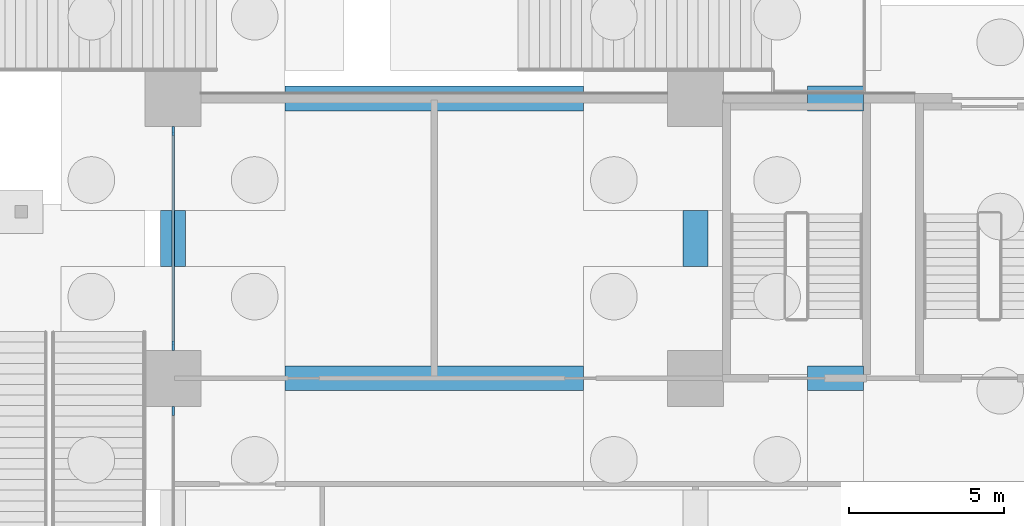
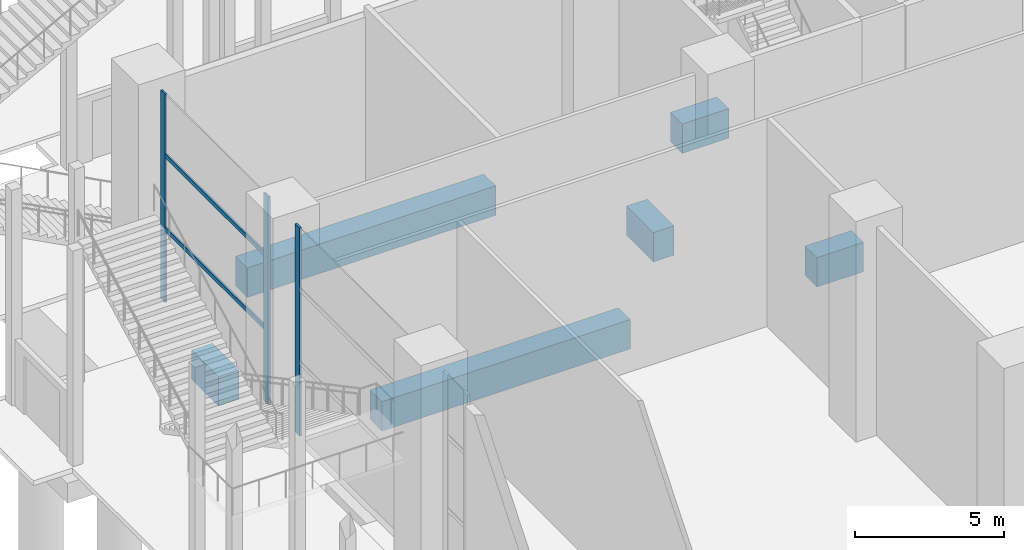
# One storey, part 26 of 72: 6 beams, 5 members, 2 elements without a shape of their own.
"""IFC4 building model written with IfcOpenShell, lengths in metres."""

from ifc_helpers import new_model, si_unit, direction, frame, origin, origin_2d, place, context, subcontext, project, spatial, rectangle, extrude, material, material_profile, profile_set, type_object, element, aggregate, save


model = new_model("IFC4")

# Units and contexts
model_context = context("Model", 3, precision=1e-05, world=origin(), true_north=direction((0.0, 1.0)))
body_context = subcontext(model_context, "Body", "Model", "MODEL_VIEW")
ifc_project = project(units=[si_unit("LENGTHUNIT", "METRE"), si_unit("AREAUNIT", "SQUARE_METRE"), si_unit("VOLUMEUNIT", "CUBIC_METRE"), si_unit("PLANEANGLEUNIT", "RADIAN"), si_unit("MASSUNIT", "GRAM", prefix="KILO")], contexts=[model_context])

# Site, building, storey
site_placement = place(None, origin())
site = spatial("IfcSite", under=ifc_project, at=site_placement, CompositionType="ELEMENT")
building_placement = place(site_placement, origin())
building = spatial("IfcBuilding", under=site, at=building_placement, Name="Candeia Pilgrim Tower and Theatre", CompositionType="ELEMENT")
storey_placement = place(building_placement, origin())
storey = spatial("IfcBuildingStorey", under=building, at=storey_placement, Name="L00", CompositionType="ELEMENT", Elevation=0.0)

# Curtain wall, member
ifc_material_1 = material(Name="Aluminium framed podium glazing", Category="aluminium")
curtain_wall_type = type_object("IfcCurtainWallType", Name="CW-P curtain wall", PredefinedType="NOTDEFINED", material=ifc_material_1)
curtain_wall_1_placement = place(storey_placement, origin())
curtain_wall_1 = element("IfcCurtainWall", 1, at=curtain_wall_1_placement, inside=storey, type_object=curtain_wall_type, Name="Curtain wall CW-P L00.050", PredefinedType="NOTDEFINED")
ifc_material_2 = material(Name="Anodised aluminium", Category="aluminium")
ifc_material_profile_1 = material_profile(ifc_material_2, rectangle(XDim=0.080078125, YDim=0.300048828125, at=origin_2d()))
ifc_profile_set_1 = profile_set([ifc_material_profile_1], Name="Anodised aluminium")
member_type_1 = type_object("IfcMemberType", Name="CW-P mullion 80x300", PredefinedType="MULLION", material=ifc_profile_set_1)
member_1_placement = place(storey_placement, frame((58.800048828125, 134.75, 0.0), z_axis=(0.0, 0.0, 1.0), x_axis=(-1.0, 0.0, 0.0)))
member_1 = element("IfcMember", 2, at=member_1_placement, type_object=member_type_1, Name="CW-P mullion 2", PredefinedType="MULLION", context=body_context, shape_type="SweptSolid", body=[
    extrude(rectangle(XDim=0.080078125, YDim=0.300048828125, at=origin_2d()), origin(), (0.0, 0.0, 1.0), 8.5),
])
aggregate(curtain_wall_1, [member_1])

# Curtain wall, members
curtain_wall_2_placement = place(storey_placement, origin())
curtain_wall_2 = element("IfcCurtainWall", 3, at=curtain_wall_2_placement, inside=storey, type_object=curtain_wall_type, Name="Curtain wall CW-P L00.060", PredefinedType="NOTDEFINED")
member_2_placement = place(storey_placement, frame((58.800048828125, 136.85009765625, 0.0), z_axis=(0.0, 0.0, 1.0), x_axis=(-1.0, 0.0, 0.0)))
member_2 = element("IfcMember", 4, at=member_2_placement, type_object=member_type_1, Name="CW-P mullion 1", PredefinedType="MULLION", context=body_context, shape_type="SweptSolid", body=[
    extrude(rectangle(XDim=0.080078125, YDim=0.300048828125, at=origin_2d()), origin(), (0.0, 0.0, 1.0), 8.5),
])
member_3_placement = place(storey_placement, frame((58.800048828125, 143.75, 0.0), z_axis=(0.0, 0.0, 1.0), x_axis=(-1.0, 0.0, 0.0)))
member_3 = element("IfcMember", 5, at=member_3_placement, type_object=member_type_1, Name="CW-P mullion 2", PredefinedType="MULLION", context=body_context, shape_type="SweptSolid", body=[
    extrude(rectangle(XDim=0.080078125, YDim=0.300048828125, at=origin_2d()), origin(), (0.0, 0.0, 1.0), 8.5),
])
ifc_material_profile_2 = material_profile(ifc_material_2, rectangle(XDim=0.080078125, YDim=0.179931640625, at=origin_2d()))
ifc_profile_set_2 = profile_set([ifc_material_profile_2], Name="Anodised aluminium")
member_type_2 = type_object("IfcMemberType", Name="CW-P transom 80x180", PredefinedType="USERDEFINED", material=ifc_profile_set_2)
member_4_placement = place(storey_placement, frame((58.800048828125, 136.889892578125, 3.0), z_axis=(0.0, 1.0, 0.0), x_axis=(-1.0, 0.0, 0.0)))
member_4 = element("IfcMember", 6, at=member_4_placement, type_object=member_type_2, Name="CW-P transom 1.1", ObjectType="TRANSOM", PredefinedType="USERDEFINED", context=body_context, shape_type="SweptSolid", body=[
    extrude(rectangle(XDim=0.080078125, YDim=0.179931640625, at=origin_2d()), origin(), (0.0, 0.0, 1.0), 6.820068359375),
])
member_5_placement = place(storey_placement, frame((58.800048828125, 136.889892578125, 6.0), z_axis=(0.0, 1.0, 0.0), x_axis=(-1.0, 0.0, 0.0)))
member_5 = element("IfcMember", 7, at=member_5_placement, type_object=member_type_2, Name="CW-P transom 1.2", ObjectType="TRANSOM", PredefinedType="USERDEFINED", context=body_context, shape_type="SweptSolid", body=[
    extrude(rectangle(XDim=0.080078125, YDim=0.179931640625, at=origin_2d()), origin(), (0.0, 0.0, 1.0), 6.820068359375),
])
aggregate(curtain_wall_2, [member_2, member_3, member_4, member_5])

# Beams
ifc_material_3 = material(Name="Concrete C40/50", Category="concrete")
ifc_material_profile_3 = material_profile(ifc_material_3, rectangle(XDim=0.800048828125, YDim=1.199951171875, at=origin_2d()))
ifc_profile_set_3 = profile_set([ifc_material_profile_3], Name="Concrete C40/50")
beam_type = type_object("IfcBeamType", Name="RC 800x1200 C40/50", PredefinedType="BEAM", material=ifc_profile_set_3)
beam_placement = place(storey_placement, frame((75.60009765625, 139.39990234375, -0.949951171875), z_axis=(0.0, 1.0, 0.0), x_axis=(-1.0, 0.0, 0.0)))
element("IfcBeam", 8, at=beam_placement, inside=storey, type_object=beam_type, Name="Ground beam 031", PredefinedType="BEAM", context=body_context, shape_type="SweptSolid", body=[
    extrude(rectangle(XDim=0.800048828125, YDim=1.199951171875, at=origin_2d()), origin(), (0.0, 0.0, 1.0), 1.800048828125),
])
for number, where, z_axis, x_axis, name in (
    (9, (72.0, 135.800048828125, -0.949951171875), (-1.0, 0.0, 0.0), (0.0, -1.0, 0.0), "Ground beam 032"),
    (10, (72.0, 144.800048828125, -0.949951171875), (-1.0, 0.0, 0.0), (0.0, -1.0, 0.0), "Ground beam 033"),
):
    element("IfcBeam", number, at=place(storey_placement, frame(where, z_axis=z_axis, x_axis=x_axis)), inside=storey, type_object=beam_type, Name=name, PredefinedType="BEAM", context=body_context, shape_type="SweptSolid", body=[
        extrude(rectangle(XDim=0.800048828125, YDim=1.199951171875, at=origin_2d()), origin(), (0.0, 0.0, 1.0), 9.60009765625),
    ])
for number, where, z_axis, x_axis, name in (
    (11, (58.800048828125, 139.39990234375, -0.949951171875), (0.0, 1.0, 0.0), (-1.0, 0.0, 0.0), "Ground beam 042"),
    (12, (79.199951171875, 135.800048828125, -0.949951171875), (1.0, 0.0, 0.0), (0.0, 1.0, 0.0), "Ground beam 058"),
    (13, (79.199951171875, 144.800048828125, -0.949951171875), (1.0, 0.0, 0.0), (0.0, 1.0, 0.0), "Ground beam 059"),
):
    element("IfcBeam", number, at=place(storey_placement, frame(where, z_axis=z_axis, x_axis=x_axis)), inside=storey, type_object=beam_type, Name=name, PredefinedType="BEAM", context=body_context, shape_type="SweptSolid", body=[
        extrude(rectangle(XDim=0.800048828125, YDim=1.199951171875, at=origin_2d()), origin(), (0.0, 0.0, 1.0), 1.800048828125),
    ])

save(model, "model.ifc")
